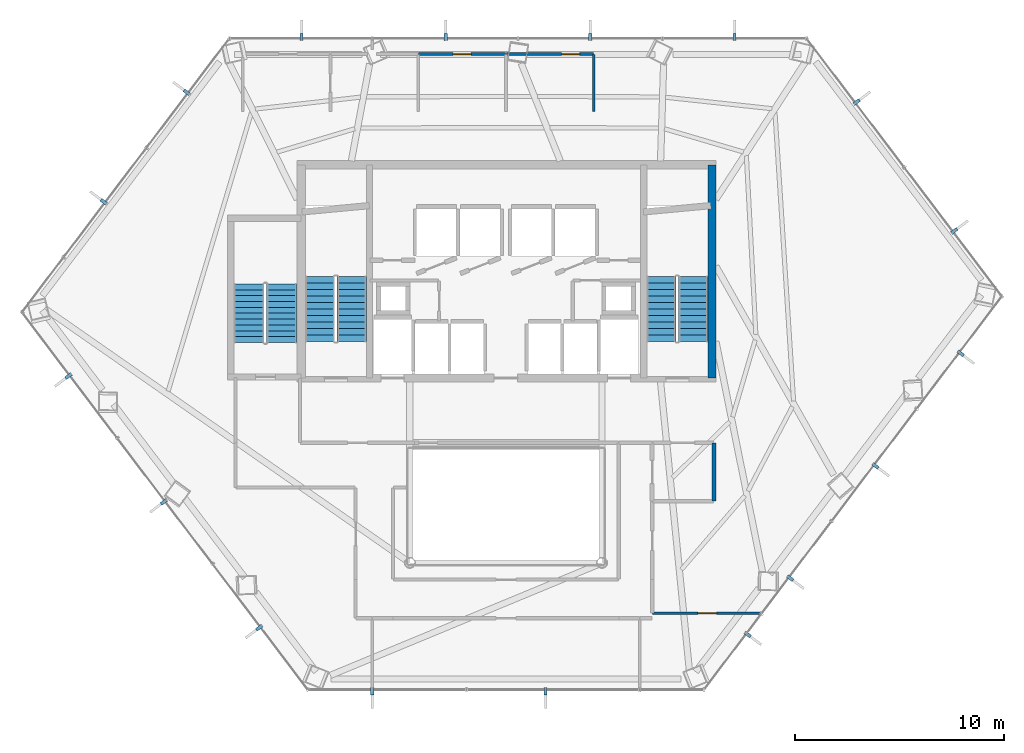
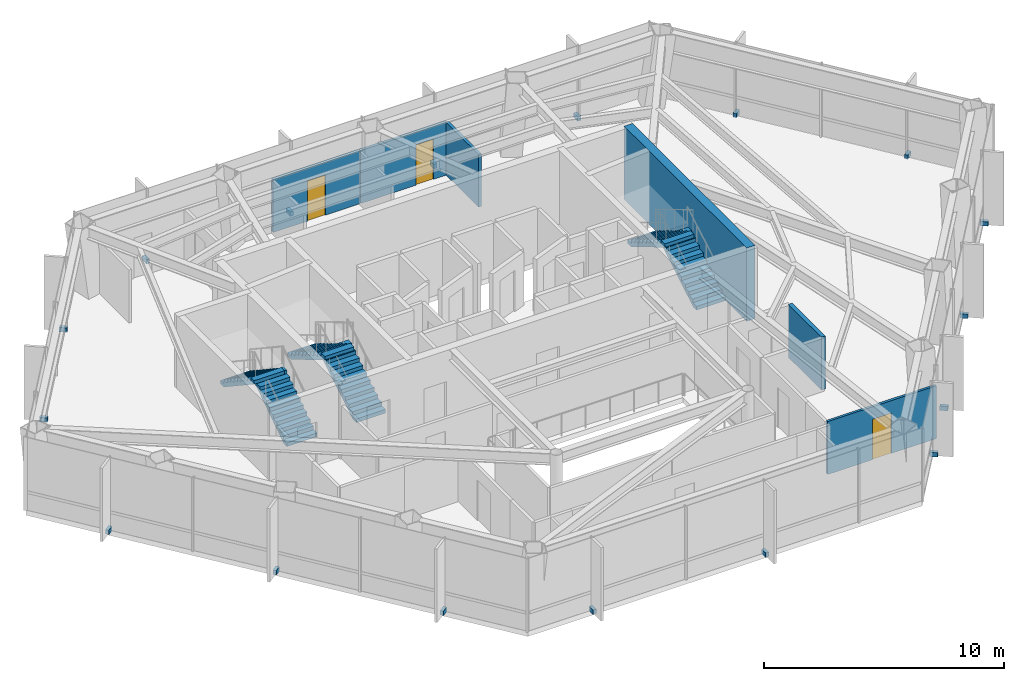
# One storey, part 24 of 25: 17 discrete accessories, 6 stair flights, 6 walls, 3 doors, 3 openings, 3 elements without a shape of their own.
"""IFC4 building model written with IfcOpenShell, lengths in metres."""

from ifc_helpers import new_model, si_unit, direction, frame, frame_2d, origin, origin_2d, place, context, subcontext, project, spatial, polyline, rectangle, outline, extrude, material, layer, layer_set, type_object, element, fill, aggregate, save


model = new_model("IFC4")

# Units and contexts
model_context = context("Model", 3, precision=1e-05, world=origin(), true_north=direction((0.0, 1.0)))
body_context = subcontext(model_context, "Body", "Model", "MODEL_VIEW")
ifc_project = project(units=[si_unit("LENGTHUNIT", "METRE"), si_unit("AREAUNIT", "SQUARE_METRE"), si_unit("VOLUMEUNIT", "CUBIC_METRE"), si_unit("PLANEANGLEUNIT", "RADIAN"), si_unit("MASSUNIT", "GRAM", prefix="KILO")], contexts=[model_context])

# Site, building, storey
site_placement = place(None, origin())
site = spatial("IfcSite", under=ifc_project, at=site_placement, CompositionType="ELEMENT")
building_placement = place(site_placement, origin())
building = spatial("IfcBuilding", under=site, at=building_placement, Name="Zarrinselat Tower", CompositionType="ELEMENT")
storey_placement = place(building_placement, frame((0.0, 0.0, 105.06005859375)))
storey = spatial("IfcBuildingStorey", under=building, at=storey_placement, Name="L25", CompositionType="ELEMENT", Elevation=105.06005859375)

# Wall
ifc_material_1 = material(Name="Concrete C40/50", Category="concrete")
ifc_layer_1 = layer(ifc_material_1, 0.18994140625)
ifc_layer_set_1 = layer_set([ifc_layer_1], Name="Concrete C40/50")
wall_type_1 = type_object("IfcWallType", Name="WAL-PART-EI120", PredefinedType="PARTITIONING", material=ifc_layer_set_1)
wall_1_placement = place(storey_placement, frame((48.35009765625, 27.3701171875, 0.0), z_axis=(0.0, 0.0, 1.0), x_axis=(0.0, 1.0, 0.0)))
element("IfcWall", 1, at=wall_1_placement, inside=storey, type_object=wall_type_1, Name="L25 Partition Wall 14", PredefinedType="PARTITIONING", context=body_context, shape_type="SweptSolid", body=[
    extrude(rectangle(XDim=2.759765625, YDim=0.18994140625, at=frame_2d((1.3798828125, 0.0))), origin(), (0.0, 0.0, 1.0), 2.68701171875),
])

# Wall, opening, door
ifc_material_2 = material(Name="Fire-Rated Gypsum Board Partition", Category="gypsum")
ifc_layer_2 = layer(ifc_material_2, 0.1201171875)
ifc_layer_set_2 = layer_set([ifc_layer_2], Name="Fire-Rated Gypsum Board Partition")
wall_type_2 = type_object("IfcWallType", Name="WAL-PART-STD", PredefinedType="PARTITIONING", material=ifc_layer_set_2)
wall_2_placement = place(storey_placement, frame((45.419921875, 22.0, 0.0), z_axis=(0.0, 0.0, 1.0), x_axis=(1.0, 0.0, 0.0)))
wall_2 = element("IfcWall", 2, at=wall_2_placement, inside=storey, type_object=wall_type_2, Name="L25 Partition Wall 44", PredefinedType="PARTITIONING", context=body_context, shape_type="SweptSolid", body=[
    extrude(rectangle(XDim=5.22265625, YDim=0.1201171875, at=frame_2d((2.611328125, 0.0))), origin(), (0.0, 0.0, 1.0), 2.68701171875),
])
opening_1_placement = place(wall_2_placement, frame((2.1611328125, 0.0, 0.0)))
opening_1 = element("IfcOpeningElement", 3, at=opening_1_placement, cuts=wall_2, Name="Opening ID-05", PredefinedType="OPENING", context=body_context, shape_type="SweptSolid", body=[
    extrude(rectangle(XDim=0.89990234375, YDim=2.050048828125, at=frame_2d((0.449951171875, 1.02490234375))), frame((0.0, 0.070068359375, 0.0), z_axis=(0.0, -1.0, 0.0), x_axis=(1.0, 0.0, 0.0)), (0.0, 0.0, 1.0), 0.14013671875),
])
ifc_material_3 = material(Name="Extruded Aluminium Alloy EN AW-6063 T6", Category="aluminium")
door_type_1 = type_object("IfcDoorType", Name="DR-INT-STD-920", OperationType="NOTDEFINED", PredefinedType="DOOR", material=ifc_material_3)
door_1_placement = place(opening_1_placement, origin())
door_1 = element("IfcDoor", 4, at=door_1_placement, inside=storey, type_object=door_type_1, Name="L25 Interior Door P44", OperationType="SINGLE_SWING_RIGHT", OverallHeight=2.050048828125, OverallWidth=0.89990234375, PredefinedType="DOOR", context=body_context, shape_type="SweptSolid", body=[
    extrude(rectangle(XDim=0.89990234375, YDim=2.050048828125, at=frame_2d((0.449951171875, 1.02490234375))), frame((0.0, 0.02490234375, 0.0), z_axis=(0.0, -1.0, 0.0), x_axis=(1.0, 0.0, 0.0)), (0.0, 0.0, 1.0), 0.050048828125),
])
fill(opening_1, door_1)

ifc_material_4 = material(Name="Fire-Rated Gypsum Board Partition", Category="gypsum")
ifc_layer_3 = layer(ifc_material_4, 0.135009765625)
ifc_layer_set_3 = layer_set([ifc_layer_3], Name="Fire-Rated Gypsum Board Partition")
wall_type_3 = type_object("IfcWallType", Name="WAL-PART-WET", PredefinedType="PARTITIONING", material=ifc_layer_set_3)
wall_3_placement = place(storey_placement, frame((34.219970703125, 48.75, 0.0), z_axis=(0.0, 0.0, 1.0), x_axis=(1.0, 0.0, 0.0)))
wall_3 = element("IfcWall", 5, at=wall_3_placement, inside=storey, type_object=wall_type_3, Name="L25 Partition Wall 39", PredefinedType="PARTITIONING", context=body_context, shape_type="SweptSolid", body=[
    extrude(rectangle(XDim=4.159912109375, YDim=0.135009765625, at=frame_2d((2.080078125, 0.0))), origin(), (0.0, 0.0, 1.0), 2.68701171875),
])
opening_2_placement = place(wall_3_placement, frame((1.64990234375, 0.0, 0.0)))
opening_2 = element("IfcOpeningElement", 6, at=opening_2_placement, cuts=wall_3, Name="Opening ID-06", PredefinedType="OPENING", context=body_context, shape_type="SweptSolid", body=[
    extrude(rectangle(XDim=0.860107421875, YDim=2.050048828125, at=frame_2d((0.43017578125, 1.02490234375))), frame((0.0, 0.077392578125, 0.0), z_axis=(0.0, -1.0, 0.0), x_axis=(1.0, 0.0, 0.0)), (0.0, 0.0, 1.0), 0.155029296875),
])
ifc_material_5 = material(Name="Extruded Aluminium Alloy EN AW-6063 T6", Category="aluminium")
door_type_2 = type_object("IfcDoorType", Name="DR-INT-WET-900", OperationType="NOTDEFINED", PredefinedType="DOOR", material=ifc_material_5)
door_2_placement = place(opening_2_placement, origin())
door_2 = element("IfcDoor", 7, at=door_2_placement, inside=storey, type_object=door_type_2, Name="L25 Interior Door P39", OperationType="SINGLE_SWING_RIGHT", OverallHeight=2.050048828125, OverallWidth=0.860107421875, PredefinedType="DOOR", context=body_context, shape_type="SweptSolid", body=[
    extrude(rectangle(XDim=0.860107421875, YDim=2.050048828125, at=frame_2d((0.43017578125, 1.02490234375))), frame((0.0, 0.02490234375, 0.0), z_axis=(0.0, -1.0, 0.0), x_axis=(1.0, 0.0, 0.0)), (0.0, 0.0, 1.0), 0.050048828125),
])
fill(opening_2, door_2)

wall_4_placement = place(storey_placement, frame((38.419921875, 48.75, 0.0), z_axis=(0.0, 0.0, 1.0), x_axis=(1.0, 0.0, 0.0)))
wall_4 = element("IfcWall", 8, at=wall_4_placement, inside=storey, type_object=wall_type_3, Name="L25 Partition Wall 40", PredefinedType="PARTITIONING", context=body_context, shape_type="SweptSolid", body=[
    extrude(rectangle(XDim=4.16015625, YDim=0.135009765625, at=frame_2d((2.080078125, 0.0))), origin(), (0.0, 0.0, 1.0), 2.68701171875),
])
opening_3_placement = place(wall_4_placement, frame((2.64990234375, 0.0, 0.0)))
opening_3 = element("IfcOpeningElement", 9, at=opening_3_placement, cuts=wall_4, Name="Opening ID-06", PredefinedType="OPENING", context=body_context, shape_type="SweptSolid", body=[
    extrude(rectangle(XDim=0.860107421875, YDim=2.050048828125, at=frame_2d((0.43017578125, 1.02490234375))), frame((0.0, 0.077392578125, 0.0), z_axis=(0.0, -1.0, 0.0), x_axis=(1.0, 0.0, 0.0)), (0.0, 0.0, 1.0), 0.155029296875),
])
door_3_placement = place(opening_3_placement, origin())
door_3 = element("IfcDoor", 10, at=door_3_placement, inside=storey, type_object=door_type_2, Name="L25 Interior Door P40", OperationType="SINGLE_SWING_LEFT", OverallHeight=2.050048828125, OverallWidth=0.860107421875, PredefinedType="DOOR", context=body_context, shape_type="SweptSolid", body=[
    extrude(rectangle(XDim=0.860107421875, YDim=2.050048828125, at=frame_2d((0.43017578125, 1.02490234375))), frame((0.0, 0.02490234375, 0.0), z_axis=(0.0, -1.0, 0.0), x_axis=(1.0, 0.0, 0.0)), (0.0, 0.0, 1.0), 0.050048828125),
])
fill(opening_3, door_3)

# Walls
wall_5_placement = place(storey_placement, frame((42.60009765625, 46.0, 0.0), z_axis=(0.0, 0.0, 1.0), x_axis=(0.0, 1.0, 0.0)))
element("IfcWall", 11, at=wall_5_placement, inside=storey, type_object=wall_type_3, Name="L25 Partition Wall 41", PredefinedType="PARTITIONING", context=body_context, shape_type="SweptSolid", body=[
    extrude(rectangle(XDim=2.72998046875, YDim=0.135009765625, at=frame_2d((1.364990234375, 0.0))), origin(), (0.0, 0.0, 1.0), 2.68701171875),
])
ifc_material_6 = material(Name="Concrete C60/75", Category="concrete")
ifc_layer_4 = layer(ifc_material_6, 0.39990234375)
ifc_layer_set_4 = layer_set([ifc_layer_4], Name="Concrete C60/75")
wall_type_4 = type_object("IfcWallType", Name="WAL-SHEAR-400", PredefinedType="SHEAR", material=ifc_layer_set_4)
wall_6_placement = place(storey_placement, frame((48.260009765625, 33.25, 0.0), z_axis=(0.0, 0.0, 1.0), x_axis=(0.0, 1.0, 0.0)))
element("IfcWall", 12, at=wall_6_placement, inside=storey, type_object=wall_type_4, Name="L25 Core Shear Wall E", PredefinedType="SHEAR", context=body_context, shape_type="SweptSolid", body=[
    extrude(rectangle(XDim=10.199951171875, YDim=0.39990234375, at=frame_2d((5.10009765625, 0.0))), origin(), (0.0, 0.0, 1.0), 3.72998046875),
])

# Stair, stair flights
ifc_material_7 = material(Name="Concrete C40/50", Category="concrete")
stair_type_1 = type_object("IfcStairType", Name="STR-CORE-145", PredefinedType="HALF_TURN_STAIR", material=ifc_material_7)
stair_1_placement = place(storey_placement, origin())
stair_1 = element("IfcStair", 13, at=stair_1_placement, inside=storey, type_object=stair_type_1, Name="L25 Podium & Mid-Tower Exit Stair 3", PredefinedType="HALF_TURN_STAIR")
ifc_material_8 = material(Name="Concrete C40/50", Category="concrete")
stair_flight_type_1 = type_object("IfcStairFlightType", Name="STR-FLT-145", PredefinedType="STRAIGHT", material=ifc_material_8)
stair_flight_1_placement = place(storey_placement, frame((27.675048828125, 34.949951171875, 0.0), z_axis=(0.0, 0.0, 1.0), x_axis=(0.0, 1.0, 0.0)))
stair_flight_1 = element("IfcStairFlight", 14, at=stair_flight_1_placement, type_object=stair_flight_type_1, Name="ST-3 flight 1", NumberOfRisers=11, NumberOfTreads=10, PredefinedType="STRAIGHT", RiserHeight=0.185454545, TreadLength=0.28, context=body_context, shape_type="SweptSolid", body=[
    extrude(outline(polyline([(0.0, 0.0), (0.0, 0.185546875), (0.280029296875, 0.185546875), (0.280029296875, 0.370849609375), (0.56005859375, 0.370849609375), (0.56005859375, 0.556396484375), (0.840087890625, 0.556396484375), (0.840087890625, 0.74169921875), (1.1201171875, 0.74169921875), (1.1201171875, 0.92724609375), (1.39990234375, 0.92724609375), (1.39990234375, 1.11279296875), (1.679931640625, 1.11279296875), (1.679931640625, 1.298095703125), (1.9599609375, 1.298095703125), (1.9599609375, 1.483642578125), (2.239990234375, 1.483642578125), (2.239990234375, 1.669189453125), (2.52001953125, 1.669189453125), (2.52001953125, 1.8544921875), (2.800048828125, 1.8544921875), (2.800048828125, 2.0400390625), (2.800048828125, 1.6748046875), (0.271484375, 0.0), (0.0, 0.0)])), frame((0.0, 0.72509765625, 0.0), z_axis=(0.0, -1.0, 0.0), x_axis=(1.0, 0.0, 0.0)), (0.0, 0.0, 1.0), 1.449951171875),
])
stair_flight_2_placement = place(storey_placement, frame((26.10498046875, 37.75, 2.0400390625), z_axis=(0.0, 0.0, 1.0), x_axis=(0.0, -1.0, 0.0)))
stair_flight_2 = element("IfcStairFlight", 15, at=stair_flight_2_placement, type_object=stair_flight_type_1, Name="ST-3 flight 2", NumberOfRisers=11, NumberOfTreads=10, PredefinedType="STRAIGHT", RiserHeight=0.185454545, TreadLength=0.28, context=body_context, shape_type="SweptSolid", body=[
    extrude(outline(polyline([(0.0, 0.0), (0.0, 0.185546875), (0.280029296875, 0.185546875), (0.280029296875, 0.370849609375), (0.56005859375, 0.370849609375), (0.56005859375, 0.556396484375), (0.840087890625, 0.556396484375), (0.840087890625, 0.74169921875), (1.1201171875, 0.74169921875), (1.1201171875, 0.92724609375), (1.39990234375, 0.92724609375), (1.39990234375, 1.11279296875), (1.679931640625, 1.11279296875), (1.679931640625, 1.298095703125), (1.9599609375, 1.298095703125), (1.9599609375, 1.483642578125), (2.239990234375, 1.483642578125), (2.239990234375, 1.669189453125), (2.52001953125, 1.669189453125), (2.52001953125, 1.8544921875), (2.800048828125, 1.8544921875), (2.800048828125, 2.0400390625), (2.800048828125, 1.6748046875), (0.271484375, 0.0), (0.0, 0.0)])), frame((0.0, 0.72509765625, 0.0), z_axis=(0.0, -1.0, 0.0), x_axis=(1.0, 0.0, 0.0)), (0.0, 0.0, 1.0), 1.449951171875),
])
aggregate(stair_1, [stair_flight_1, stair_flight_2])

ifc_material_9 = material(Name="Concrete C40/50", Category="concrete")
stair_type_2 = type_object("IfcStairType", Name="STR-CORE-155", PredefinedType="HALF_TURN_STAIR", material=ifc_material_9)
stair_2_placement = place(storey_placement, origin())
stair_2 = element("IfcStair", 16, at=stair_2_placement, inside=storey, type_object=stair_type_2, Name="L25 Core Exit Stair 1", PredefinedType="HALF_TURN_STAIR")
ifc_material_10 = material(Name="Concrete C40/50", Category="concrete")
stair_flight_type_2 = type_object("IfcStairFlightType", Name="STR-FLT-155", PredefinedType="STRAIGHT", material=ifc_material_10)
stair_flight_3_placement = place(storey_placement, frame((31.02001953125, 35.0, 0.0), z_axis=(0.0, 0.0, 1.0), x_axis=(0.0, 1.0, 0.0)))
stair_flight_3 = element("IfcStairFlight", 17, at=stair_flight_3_placement, type_object=stair_flight_type_2, Name="ST-1 flight 1", NumberOfRisers=11, NumberOfTreads=10, PredefinedType="STRAIGHT", RiserHeight=0.185454545, TreadLength=0.31, context=body_context, shape_type="SweptSolid", body=[
    extrude(outline(polyline([(0.0, 0.0), (0.0, 0.185546875), (0.31005859375, 0.185546875), (0.31005859375, 0.370849609375), (0.6201171875, 0.370849609375), (0.6201171875, 0.556396484375), (0.929931640625, 0.556396484375), (0.929931640625, 0.74169921875), (1.239990234375, 0.74169921875), (1.239990234375, 0.92724609375), (1.550048828125, 0.92724609375), (1.550048828125, 1.11279296875), (1.860107421875, 1.11279296875), (1.860107421875, 1.298095703125), (2.169921875, 1.298095703125), (2.169921875, 1.483642578125), (2.47998046875, 1.483642578125), (2.47998046875, 1.669189453125), (2.7900390625, 1.669189453125), (2.7900390625, 1.8544921875), (3.10009765625, 1.8544921875), (3.10009765625, 2.0400390625), (3.10009765625, 1.679931640625), (0.2919921875, 0.0), (0.0, 0.0)])), frame((0.0, 0.699951171875, 0.0), z_axis=(0.0, -1.0, 0.0), x_axis=(1.0, 0.0, 0.0)), (0.0, 0.0, 1.0), 1.39990234375),
])
stair_flight_4_placement = place(storey_placement, frame((29.5, 38.10009765625, 2.0400390625), z_axis=(0.0, 0.0, 1.0), x_axis=(0.0, -1.0, 0.0)))
stair_flight_4 = element("IfcStairFlight", 18, at=stair_flight_4_placement, type_object=stair_flight_type_2, Name="ST-1 flight 2", NumberOfRisers=11, NumberOfTreads=10, PredefinedType="STRAIGHT", RiserHeight=0.185454545, TreadLength=0.31, context=body_context, shape_type="SweptSolid", body=[
    extrude(outline(polyline([(0.0, 0.0), (0.0, 0.185546875), (0.31005859375, 0.185546875), (0.31005859375, 0.370849609375), (0.6201171875, 0.370849609375), (0.6201171875, 0.556396484375), (0.929931640625, 0.556396484375), (0.929931640625, 0.74169921875), (1.239990234375, 0.74169921875), (1.239990234375, 0.92724609375), (1.550048828125, 0.92724609375), (1.550048828125, 1.11279296875), (1.860107421875, 1.11279296875), (1.860107421875, 1.298095703125), (2.169921875, 1.298095703125), (2.169921875, 1.483642578125), (2.47998046875, 1.483642578125), (2.47998046875, 1.669189453125), (2.7900390625, 1.669189453125), (2.7900390625, 1.8544921875), (3.10009765625, 1.8544921875), (3.10009765625, 2.0400390625), (3.10009765625, 1.679931640625), (0.2919921875, 0.0), (0.0, 0.0)])), frame((0.0, 0.699951171875, 0.0), z_axis=(0.0, -1.0, 0.0), x_axis=(1.0, 0.0, 0.0)), (0.0, 0.0, 1.0), 1.39990234375),
])
aggregate(stair_2, [stair_flight_3, stair_flight_4])

stair_3_placement = place(storey_placement, origin())
stair_3 = element("IfcStair", 19, at=stair_3_placement, inside=storey, type_object=stair_type_2, Name="L25 Core Exit Stair 2", PredefinedType="HALF_TURN_STAIR")
stair_flight_5_placement = place(storey_placement, frame((47.360107421875, 35.0, 0.0), z_axis=(0.0, 0.0, 1.0), x_axis=(0.0, 1.0, 0.0)))
stair_flight_5 = element("IfcStairFlight", 20, at=stair_flight_5_placement, type_object=stair_flight_type_2, Name="ST-2 flight 1", NumberOfRisers=11, NumberOfTreads=10, PredefinedType="STRAIGHT", RiserHeight=0.185454545, TreadLength=0.31, context=body_context, shape_type="SweptSolid", body=[
    extrude(outline(polyline([(0.0, 0.0), (0.0, 0.185546875), (0.31005859375, 0.185546875), (0.31005859375, 0.370849609375), (0.6201171875, 0.370849609375), (0.6201171875, 0.556396484375), (0.929931640625, 0.556396484375), (0.929931640625, 0.74169921875), (1.239990234375, 0.74169921875), (1.239990234375, 0.92724609375), (1.550048828125, 0.92724609375), (1.550048828125, 1.11279296875), (1.860107421875, 1.11279296875), (1.860107421875, 1.298095703125), (2.169921875, 1.298095703125), (2.169921875, 1.483642578125), (2.47998046875, 1.483642578125), (2.47998046875, 1.669189453125), (2.7900390625, 1.669189453125), (2.7900390625, 1.8544921875), (3.10009765625, 1.8544921875), (3.10009765625, 2.0400390625), (3.10009765625, 1.679931640625), (0.2919921875, 0.0), (0.0, 0.0)])), frame((0.0, 0.699951171875, 0.0), z_axis=(0.0, -1.0, 0.0), x_axis=(1.0, 0.0, 0.0)), (0.0, 0.0, 1.0), 1.39990234375),
])
stair_flight_6_placement = place(storey_placement, frame((45.840087890625, 38.10009765625, 2.0400390625), z_axis=(0.0, 0.0, 1.0), x_axis=(0.0, -1.0, 0.0)))
stair_flight_6 = element("IfcStairFlight", 21, at=stair_flight_6_placement, type_object=stair_flight_type_2, Name="ST-2 flight 2", NumberOfRisers=11, NumberOfTreads=10, PredefinedType="STRAIGHT", RiserHeight=0.185454545, TreadLength=0.31, context=body_context, shape_type="SweptSolid", body=[
    extrude(outline(polyline([(0.0, 0.0), (0.0, 0.185546875), (0.31005859375, 0.185546875), (0.31005859375, 0.370849609375), (0.6201171875, 0.370849609375), (0.6201171875, 0.556396484375), (0.929931640625, 0.556396484375), (0.929931640625, 0.74169921875), (1.239990234375, 0.74169921875), (1.239990234375, 0.92724609375), (1.550048828125, 0.92724609375), (1.550048828125, 1.11279296875), (1.860107421875, 1.11279296875), (1.860107421875, 1.298095703125), (2.169921875, 1.298095703125), (2.169921875, 1.483642578125), (2.47998046875, 1.483642578125), (2.47998046875, 1.669189453125), (2.7900390625, 1.669189453125), (2.7900390625, 1.8544921875), (3.10009765625, 1.8544921875), (3.10009765625, 2.0400390625), (3.10009765625, 1.679931640625), (0.2919921875, 0.0), (0.0, 0.0)])), frame((0.0, 0.699951171875, 0.0), z_axis=(0.0, -1.0, 0.0), x_axis=(1.0, 0.0, 0.0)), (0.0, 0.0, 1.0), 1.39990234375),
])
aggregate(stair_3, [stair_flight_5, stair_flight_6])

# Discrete accessories
ifc_material_11 = material(Name="Steel S355J2", Category="steel")
discrete_accessory_type = type_object("IfcDiscreteAccessoryType", Name="ACC-FIN-BRACKET", PredefinedType="BRACKET", material=ifc_material_11)
for number, where, z_axis, x_axis, name in (
    (22, (49.340576171875, 49.570068359375, -0.0498046875), (0.0, 0.0, 1.0), (0.0, 1.0, 0.0), "L25 Fin Fixing Bracket CW-L25-E01-01"),
    (23, (42.432861328125, 49.570068359375, -0.0498046875), (0.0, 0.0, 1.0), (0.0, 1.0, 0.0), "L25 Fin Fixing Bracket CW-L25-E01-03"),
    (24, (35.525146484375, 49.570068359375, -0.0498046875), (0.0, 0.0, 1.0), (0.0, 1.0, 0.0), "L25 Fin Fixing Bracket CW-L25-E01-05"),
    (25, (28.617431640625, 49.570068359375, -0.0498046875), (0.0, 0.0, 1.0), (0.0, 1.0, 0.0), "L25 Fin Fixing Bracket CW-L25-E01-07"),
    (26, (23.122314453125, 46.92138671875, -0.0498046875), (0.0, 0.0, 1.0), (-0.7970942775, 0.603854877249, 0.0), "L25 Fin Fixing Bracket CW-L25-E02-01"),
    (27, (19.151611328125, 41.679931640625, -0.0498046875), (0.0, 0.0, 1.0), (-0.7970942775, 0.603854877249, 0.0), "L25 Fin Fixing Bracket CW-L25-E02-03"),
    (28, (17.462158203125, 33.342041015625, -0.0498046875), (0.0, 0.0, 1.0), (-0.797092083812, -0.603857772927, 0.0), "L25 Fin Fixing Bracket CW-L25-E03-01"),
    (29, (22.025390625, 27.318603515625, -0.0498046875), (0.0, 0.0, 1.0), (-0.797092083812, -0.603857772927, 0.0), "L25 Fin Fixing Bracket CW-L25-E03-03"),
    (30, (26.588623046875, 21.294921875, -0.0498046875), (0.0, 0.0, 1.0), (-0.797092083812, -0.603857772927, 0.0), "L25 Fin Fixing Bracket CW-L25-E03-05"),
    (31, (32.0, 18.255615234375, -0.0498046875), (0.0, 0.0, 1.0), (0.0, -1.0, 0.0), "L25 Fin Fixing Bracket CW-L25-E04-01"),
    (32, (40.294921875, 18.255615234375, -0.0498046875), (0.0, 0.0, 1.0), (0.0, -1.0, 0.0), "L25 Fin Fixing Bracket CW-L25-E04-03"),
    (33, (49.968017578125, 20.97412109375, -0.0498046875), (0.0, 0.0, 1.0), (0.79709190125, -0.603858013909, 0.0), "L25 Fin Fixing Bracket CW-L25-E05-01"),
    (34, (52.006591796875, 23.664794921875, -0.0498046875), (0.0, 0.0, 1.0), (0.79709190125, -0.603858013909, 0.0), "L25 Fin Fixing Bracket CW-L25-E05-03"),
    (35, (56.083251953125, 29.0458984375, -0.0498046875), (0.0, 0.0, 1.0), (0.79709190125, -0.603858013909, 0.0), "L25 Fin Fixing Bracket CW-L25-E05-05"),
    (36, (60.16015625, 34.427490234375, -0.0498046875), (0.0, 0.0, 1.0), (0.79709190125, -0.603858013909, 0.0), "L25 Fin Fixing Bracket CW-L25-E05-07"),
    (37, (59.861328125, 40.28759765625, -0.0498046875), (0.0, 0.0, 1.0), (0.797091582847, 0.6038584342, 0.0), "L25 Fin Fixing Bracket CW-L25-E06-01"),
    (38, (55.187255859375, 46.45751953125, -0.0498046875), (0.0, 0.0, 1.0), (0.797091582847, 0.6038584342, 0.0), "L25 Fin Fixing Bracket CW-L25-E06-03"),
):
    element("IfcDiscreteAccessory", number, at=place(storey_placement, frame(where, z_axis=z_axis, x_axis=x_axis)), inside=storey, type_object=discrete_accessory_type, Name=name, PredefinedType="BRACKET", context=body_context, shape_type="SweptSolid", body=[
        extrude(rectangle(XDim=0.340087890625, YDim=0.159912109375, at=origin_2d()), origin(), (0.0, 0.0, 1.0), 0.219970703125),
    ])

save(model, "model.ifc")
